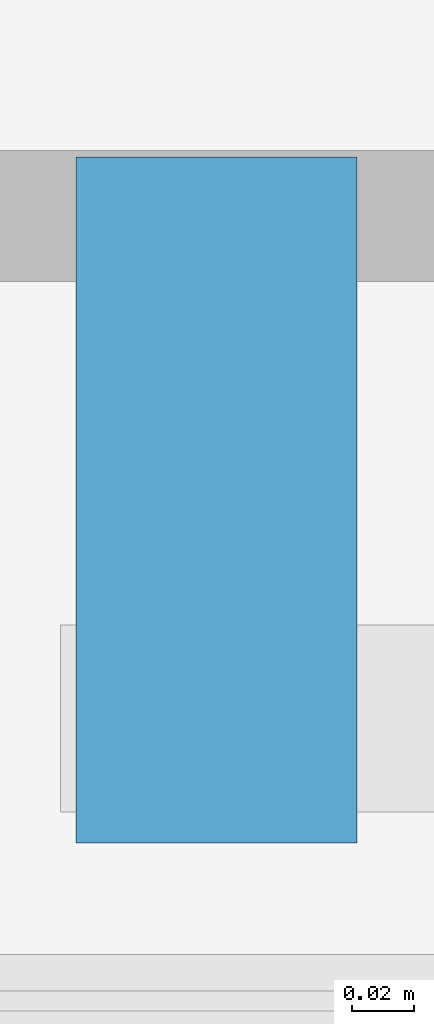
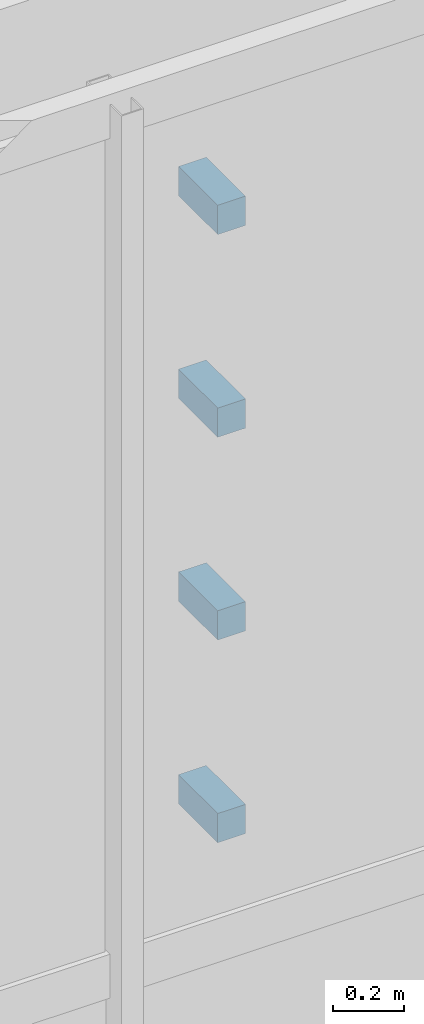
# One storey, part 33 of 38: 4 discrete accessories.
"""IFC4 building model written with IfcOpenShell, lengths in metres."""

from ifc_helpers import new_model, si_unit, direction, frame, origin, origin_2d, place, context, subcontext, project, spatial, rectangle, extrude, material, type_object, element, save


model = new_model("IFC4")

# Units and contexts
model_context = context("Model", 3, precision=1e-05, world=origin(), true_north=direction((0.0, 1.0)))
body_context = subcontext(model_context, "Body", "Model", "MODEL_VIEW")
ifc_project = project(units=[si_unit("LENGTHUNIT", "METRE"), si_unit("AREAUNIT", "SQUARE_METRE"), si_unit("VOLUMEUNIT", "CUBIC_METRE"), si_unit("PLANEANGLEUNIT", "RADIAN"), si_unit("MASSUNIT", "GRAM", prefix="KILO")], contexts=[model_context])

# Site, building, storey
site_placement = place(None, origin())
site = spatial("IfcSite", under=ifc_project, at=site_placement, CompositionType="ELEMENT")
building_placement = place(site_placement, origin())
building = spatial("IfcBuilding", under=site, at=building_placement, Name="Punatoya Terracotta Tower", CompositionType="ELEMENT")
storey_placement = place(building_placement, frame((0.0, 0.0, 160.050048828125)))
storey = spatial("IfcBuildingStorey", under=building, at=storey_placement, Name="L37", CompositionType="ELEMENT", Elevation=160.050048828125)

# Discrete accessories
ifc_material = material(Name="Steel S355", Category="steel")
discrete_accessory_type = type_object("IfcDiscreteAccessoryType", Name="ACC-BRK-220", PredefinedType="BRACKET", material=ifc_material)
for number, where, z_axis, x_axis, name in (
    (1, (-3.75, -18.27001953125, 1.099853515625), (0.0, 0.0, 1.0), (1.0, 0.0, 0.0), "L37 Baguette Louvre Column Bracket BAG-L37-S-01"),
    (2, (-3.75, -18.27001953125, 1.793212890625), (0.0, 0.0, 1.0), (1.0, 0.0, 0.0), "L37 Baguette Louvre Column Bracket BAG-L37-S-02"),
    (3, (-3.75, -18.27001953125, 2.486572265625), (0.0, 0.0, 1.0), (1.0, 0.0, 0.0), "L37 Baguette Louvre Column Bracket BAG-L37-S-03"),
    (4, (-3.75, -18.27001953125, 3.179931640625), (0.0, 0.0, 1.0), (1.0, 0.0, 0.0), "L37 Baguette Louvre Column Bracket BAG-L37-S-04"),
):
    element("IfcDiscreteAccessory", number, at=place(storey_placement, frame(where, z_axis=z_axis, x_axis=x_axis)), inside=storey, type_object=discrete_accessory_type, Name=name, PredefinedType="BRACKET", context=body_context, shape_type="SweptSolid", body=[
        extrude(rectangle(XDim=0.090087890625, YDim=0.219970703125, at=origin_2d()), origin(), (0.0, 0.0, 1.0), 0.10009765625),
    ])

save(model, "model.ifc")
